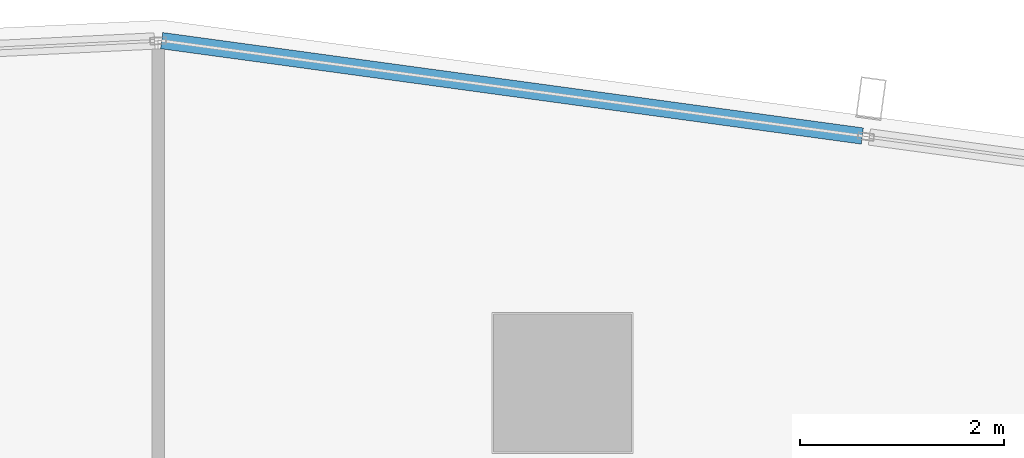
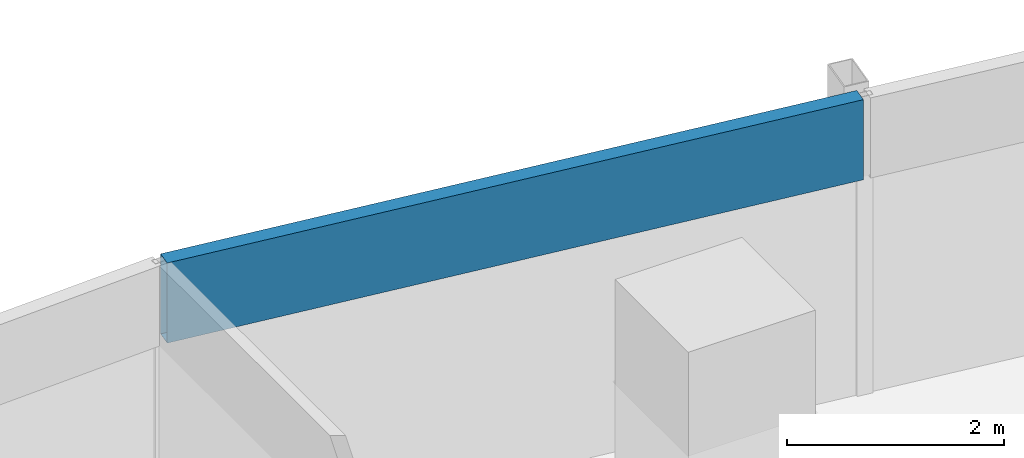
# One storey, part 22 of 39: 1 member, 1 element without a shape of its own.
"""IFC4 building model written with IfcOpenShell, lengths in metres."""

from ifc_helpers import new_model, si_unit, direction, frame, origin, origin_2d, place, context, subcontext, project, spatial, hollow_rectangle, extrude, material, material_profile, profile_set, type_object, element, aggregate, save


model = new_model("IFC4")

# Units and contexts
model_context = context("Model", 3, precision=1e-05, world=origin(), true_north=direction((0.0, 1.0)))
body_context = subcontext(model_context, "Body", "Model", "MODEL_VIEW")
ifc_project = project(units=[si_unit("LENGTHUNIT", "METRE"), si_unit("AREAUNIT", "SQUARE_METRE"), si_unit("VOLUMEUNIT", "CUBIC_METRE"), si_unit("PLANEANGLEUNIT", "RADIAN"), si_unit("MASSUNIT", "GRAM", prefix="KILO")], contexts=[model_context])

# Site, building, storey
site_placement = place(None, origin())
site = spatial("IfcSite", under=ifc_project, at=site_placement, CompositionType="ELEMENT")
building_placement = place(site_placement, origin())
building = spatial("IfcBuilding", under=site, at=building_placement, Name="Rekha Terrace Tower", CompositionType="ELEMENT")
storey_placement = place(building_placement, frame((0.0, 0.0, 225.199951171875)))
storey = spatial("IfcBuildingStorey", under=building, at=storey_placement, Name="L57", CompositionType="ELEMENT", Elevation=225.199951171875)

# Curtain wall, member
ifc_material_1 = material(Name="Aluminium framing", Category="aluminium")
curtain_wall_type = type_object("IfcCurtainWallType", Name="CW3 north unitised glazing", PredefinedType="USERDEFINED", material=ifc_material_1)
curtain_wall_placement = place(storey_placement, origin())
curtain_wall = element("IfcCurtainWall", 1, at=curtain_wall_placement, inside=storey, type_object=curtain_wall_type, Name="CW3 unitised curtain wall", ObjectType="UNITISED CURTAIN WALL", PredefinedType="USERDEFINED")
ifc_material_2 = material(Name="Insulated aluminium spandrel box", Category="aluminium")
ifc_material_profile = material_profile(ifc_material_2, hollow_rectangle(XDim=0.159912109375, YDim=0.89990234375, WallThickness=0.0029296875, at=origin_2d()), Name="AL SPANDREL BOX 160x900")
ifc_profile_set = profile_set([ifc_material_profile], Name="Insulated aluminium spandrel box")
member_type = type_object("IfcMemberType", Name="CW3 spandrel transom 160 x 900", PredefinedType="USERDEFINED", material=ifc_profile_set)
member_placement = place(storey_placement, frame((53.334716796875, 61.21630859375, 3.050048828125), z_axis=(-0.990863635349, 0.134867550367, 0.0), x_axis=(-0.134867550367, -0.990863635349, 0.0)))
member = element("IfcMember", 2, at=member_placement, type_object=member_type, Name="CW3 spandrel transom 2", ObjectType="TRANSOM", PredefinedType="USERDEFINED", context=body_context, shape_type="SweptSolid", body=[
    extrude(hollow_rectangle(XDim=0.159912109375, YDim=0.89990234375, WallThickness=0.0029296875, at=origin_2d()), origin(), (0.0, 0.0, 1.0), 6.918701171875),
])
aggregate(curtain_wall, [member])

save(model, "model.ifc")
